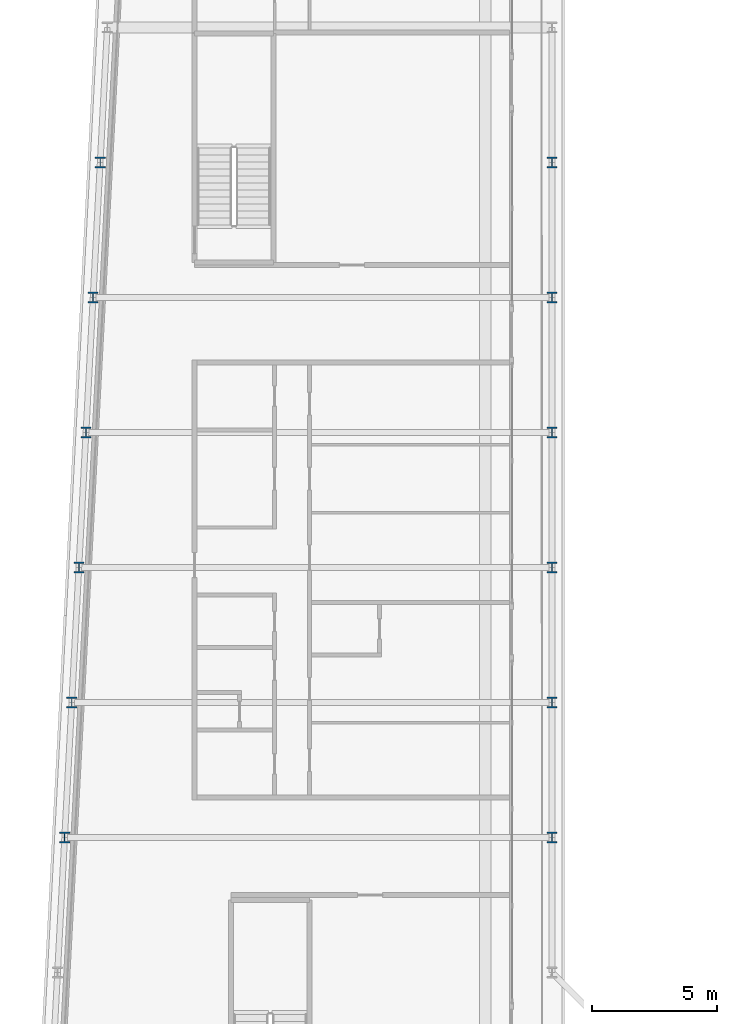
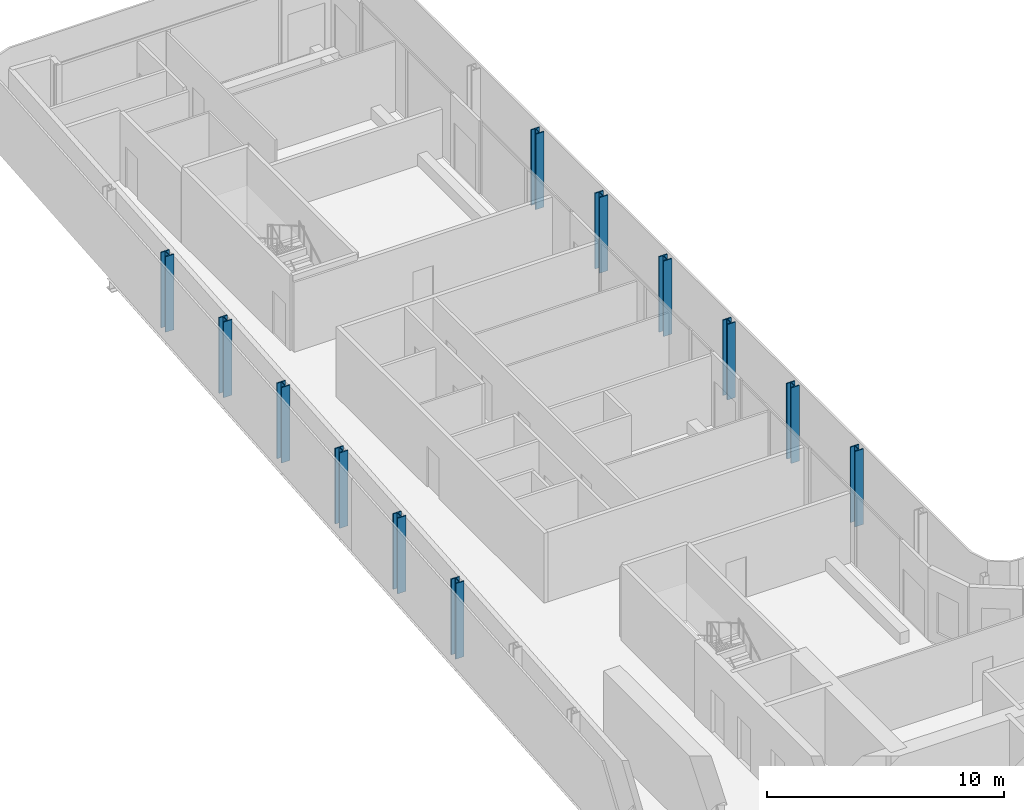
# One storey, part 3 of 28: 12 columns.
"""IFC4 building model written with IfcOpenShell, lengths in metres."""

import ifcopenshell
import ifcopenshell.guid

model = None  # the IFC model being written
_history = None  # IfcOwnerHistory: only IFC2X3 demands one
_inside = {}  # id of a spatial element -> (the spatial element, [elements in it])
_under = {}  # id of a project, library or spatial element -> (it, [spatial elements below it])
_declared = {}  # id of a project -> (the project, [libraries it declares])
_typed = {}  # id of a type object -> (the type object, [elements of that type])
_made_of = {}  # id of a material, layer set ... -> (it, [elements and type objects made of it])


def new_model(schema):
    """Start an empty IFC model of exactly this schema.

    Asked for "IFC4X3", IfcOpenShell would pick the latest addendum, in which some entities
    have other attributes; the version numbers below select the first issue.
    IFC2X3 requires an IfcOwnerHistory on every rooted entity: one is made here for all.
    """
    global model, _history
    if schema == "IFC4X3":
        model = ifcopenshell.file(schema_version=(4, 3, 0, 0))
    else:
        model = ifcopenshell.file(schema=schema)
    _inside.clear()
    _under.clear()
    _declared.clear()
    _typed.clear()
    _made_of.clear()
    _history = None
    if model.schema == "IFC2X3":
        org = make("IfcOrganization", Name="unknown")
        user = make(
            "IfcPersonAndOrganization",
            ThePerson=make("IfcPerson", FamilyName="unknown"),
            TheOrganization=org,
        )
        app = make(
            "IfcApplication",
            ApplicationDeveloper=org,
            Version="unknown",
            ApplicationFullName="unknown",
            ApplicationIdentifier="unknown",
        )
        _history = make(
            "IfcOwnerHistory",
            OwningUser=user,
            OwningApplication=app,
            ChangeAction="ADDED",
            CreationDate=0,
        )
    return model


def make(cls, **values):
    """One entity of the class cls with the attributes given. An attribute that is None is left unset."""
    return model.create_entity(
        cls, **{name: value for name, value in values.items() if value is not None}
    )


def rooted(cls, **values):
    """An entity with a GlobalId (a new one), such as an element, a storey or a relation."""
    return make(cls, GlobalId=ifcopenshell.guid.new(), OwnerHistory=_history, **values)


def si_unit(unit_type, name, prefix=None):
    """IfcSIUnit, for example si_unit("LENGTHUNIT", "METRE", prefix="MILLI")."""
    return make("IfcSIUnit", UnitType=unit_type, Prefix=prefix, Name=name)


def assignment(units):
    """IfcUnitAssignment: the units of a project."""
    return None if units is None else make("IfcUnitAssignment", Units=units)


def point(xyz):
    """IfcCartesianPoint."""
    return None if xyz is None else make("IfcCartesianPoint", Coordinates=xyz)


def direction(xyz):
    """IfcDirection."""
    return None if xyz is None else make("IfcDirection", DirectionRatios=xyz)


def frame(location, z_axis=None, x_axis=None):
    """IfcAxis2Placement3D, a coordinate frame: its origin and axes. An axis left out is left unset."""
    return make(
        "IfcAxis2Placement3D",
        Location=point(location),
        Axis=direction(z_axis),
        RefDirection=direction(x_axis),
    )


def frame_2d(location, x_axis=None):
    """IfcAxis2Placement2D, a coordinate frame in the plane: its origin and x axis."""
    return make(
        "IfcAxis2Placement2D", Location=point(location), RefDirection=direction(x_axis)
    )


def origin():
    """The frame at (0, 0, 0) with its axes left unset."""
    return frame((0.0, 0.0, 0.0))


def origin_2d():
    """The frame at (0, 0) in the plane with its x axis left unset."""
    return frame_2d((0.0, 0.0))


def place(relative_to, where):
    """IfcLocalPlacement: puts the frame where relative to a parent placement (None: the world)."""
    return make(
        "IfcLocalPlacement", PlacementRelTo=relative_to, RelativePlacement=where
    )


def context(
    kind, dimensions, precision=None, world=None, true_north=None, identifier=None
):
    """IfcGeometricRepresentationContext, for example the 3D "Model" context."""
    return make(
        "IfcGeometricRepresentationContext",
        ContextIdentifier=identifier,
        ContextType=kind,
        CoordinateSpaceDimension=dimensions,
        Precision=precision,
        WorldCoordinateSystem=world,
        TrueNorth=true_north,
    )


def subcontext(parent, identifier, kind, view, scale=None):
    """IfcGeometricRepresentationSubContext, for example "Body" below "Model"."""
    return make(
        "IfcGeometricRepresentationSubContext",
        ContextIdentifier=identifier,
        ContextType=kind,
        ParentContext=parent,
        TargetScale=scale,
        TargetView=view,
    )


def project(units=None, contexts=None):
    """IfcProject with its units and contexts."""
    return rooted(
        "IfcProject",
        Name="project",
        RepresentationContexts=contexts,
        UnitsInContext=assignment(units),
    )


def spatial(cls, under=None, at=None, **own):
    """A site, building, storey or space (cls), placed at a placement, below another one or the project."""
    s = rooted(cls, ObjectPlacement=at, **own)
    if under is not None:
        _under.setdefault(under.id(), (under, []))[1].append(s)
    return s


def profile(cls, at=None, kind="AREA", **sizes):
    """A parametric profile (cls). Its sizes go by their IFC names, for example OverallWidth=200.0."""
    return make(cls, ProfileType=kind, Position=at, **sizes)


def i_section(**sizes):
    """IfcIShapeProfileDef."""
    return profile("IfcIShapeProfileDef", **sizes)


def extrude(swept, where, along, depth):
    """IfcExtrudedAreaSolid: the profile swept, set in the frame where, extruded along a direction by depth."""
    return make(
        "IfcExtrudedAreaSolid",
        SweptArea=swept,
        Position=where,
        ExtrudedDirection=direction(along),
        Depth=depth,
    )


def shape(context_of_items, identifier, shape_type, items):
    """IfcShapeRepresentation: the items that make up one representation, for example the "Body"."""
    return make(
        "IfcShapeRepresentation",
        ContextOfItems=context_of_items,
        RepresentationIdentifier=identifier,
        RepresentationType=shape_type,
        Items=items,
    )


def material(Name=None, Category=None):
    """IfcMaterial."""
    return make("IfcMaterial", Name=Name, Category=Category)


def material_profile(
    of_material, cross_section, Name=None, Category=None, Priority=None
):
    """IfcMaterialProfile: a cross section and its material."""
    return make(
        "IfcMaterialProfile",
        Name=Name,
        Material=of_material,
        Profile=cross_section,
        Priority=Priority,
        Category=Category,
    )


def profile_set(profiles, Name=None, composite=None):
    """IfcMaterialProfileSet."""
    return make(
        "IfcMaterialProfileSet",
        Name=Name,
        MaterialProfiles=profiles,
        CompositeProfile=composite,
    )


def made_of(thing, what):
    """Note that an element or type object is made of a material, layer set ...; save() writes the relation."""
    if what is not None:
        _made_of.setdefault(what.id(), (what, []))[1].append(thing)
    return thing


def type_object(cls, material=None, **own):
    """A type object (cls), such as IfcWallType, which elements share."""
    return made_of(rooted(cls, **own), material)


def element(
    cls,
    number,
    at=None,
    inside=None,
    cuts=None,
    type_object=None,
    material=None,
    context=None,
    identifier="Body",
    shape_type=None,
    held_by="IfcProductDefinitionShape",
    body=None,
    shapes=None,
    **own,
):
    """One element of the class cls, such as IfcWall. Its Tag is "e" and its number.

    at: its placement. inside: the storey or other place that contains it. cuts: it is an
    opening in that element (IfcRelVoidsElement). A single representation is given by context,
    identifier, shape_type and body (its items); several are given by shapes. held_by: the class
    of the entity that holds the representations. save() writes the other relations.
    """
    e = rooted(cls, Tag="e%d" % number, ObjectPlacement=at, **own)
    if body is not None:
        shapes = [shape(context, identifier, shape_type, body)]
    if shapes is not None:
        e.Representation = make(held_by, Representations=shapes)
    if inside is not None:
        _inside.setdefault(inside.id(), (inside, []))[1].append(e)
    if cuts is not None:
        rooted(
            "IfcRelVoidsElement", RelatingBuildingElement=cuts, RelatedOpeningElement=e
        )
    if type_object is not None:
        _typed.setdefault(type_object.id(), (type_object, []))[1].append(e)
    return made_of(e, material)


def aggregate(whole, parts):
    """IfcRelAggregates: a whole, such as a stair, and the parts it consists of."""
    return rooted("IfcRelAggregates", RelatingObject=whole, RelatedObjects=parts)


def save(model, path):
    """Write the relations noted so far, then the file.

    IfcRelAggregates (storeys below a building ...), IfcRelContainedInSpatialStructure (elements
    in a storey), IfcRelDefinesByType, IfcRelAssociatesMaterial and IfcRelDeclares: one each for
    every whole, place, type object, material and project.
    """
    for whole, parts in _under.values():
        aggregate(whole, parts)
    for where, things in _inside.values():
        rooted(
            "IfcRelContainedInSpatialStructure",
            RelatedElements=things,
            RelatingStructure=where,
        )
    for kind, things in _typed.values():
        rooted("IfcRelDefinesByType", RelatedObjects=things, RelatingType=kind)
    for what, things in _made_of.values():
        rooted("IfcRelAssociatesMaterial", RelatedObjects=things, RelatingMaterial=what)
    for by, libraries in _declared.values():
        rooted("IfcRelDeclares", RelatingContext=by, RelatedDefinitions=libraries)
    model.write(path)


model = new_model("IFC4")

# Units and contexts
model_context = context("Model", 3, precision=1e-05, world=origin(), true_north=direction((0.0, 1.0)))
body_context = subcontext(model_context, "Body", "Model", "MODEL_VIEW")
ifc_project = project(units=[si_unit("LENGTHUNIT", "METRE"), si_unit("AREAUNIT", "SQUARE_METRE"), si_unit("VOLUMEUNIT", "CUBIC_METRE"), si_unit("PLANEANGLEUNIT", "RADIAN"), si_unit("MASSUNIT", "GRAM", prefix="KILO")], contexts=[model_context])

# Site, building, storey
site_placement = place(None, origin())
site = spatial("IfcSite", under=ifc_project, at=site_placement, CompositionType="ELEMENT")
building_placement = place(site_placement, origin())
building = spatial("IfcBuilding", under=site, at=building_placement, Name="Kheshtan School and Residences Tower", CompositionType="ELEMENT")
storey_placement = place(building_placement, frame((0.0, 0.0, 191.60009765625)))
storey = spatial("IfcBuildingStorey", under=building, at=storey_placement, Name="L45", CompositionType="ELEMENT", Elevation=191.60009765625)

# Columns
ifc_material = material(Name="Steel ASTM A992 Grade 50", Category="steel")
ifc_material_profile = material_profile(ifc_material, i_section(OverallWidth=0.408935546875, OverallDepth=0.425048828125, WebThickness=0.03271484375, FlangeThickness=0.052490234375, FilletRadius=0.0126953125, at=origin_2d()), Name="W360x421")
ifc_profile_set = profile_set([ifc_material_profile], Name="Steel ASTM A992 Grade 50")
column_type = type_object("IfcColumnType", Name="Column C3 W360x421 ASTM A992 Grade 50", PredefinedType="COLUMN", material=ifc_profile_set)
for number, where, z_axis, x_axis, name in (
    (1, (28.10595703125, 56.39990234375, 0.0), (0.0, 0.0, 1.0), (1.0, 0.0, 0.0), "Column C080"),
    (2, (47.60009765625, 56.39990234375, 0.0), (0.0, 0.0, 1.0), (1.0, 0.0, 0.0), "Column C081"),
    (3, (28.389892578125, 61.800048828125, 0.0), (0.0, 0.0, 1.0), (1.0, 0.0, 0.0), "Column C082"),
    (4, (47.60009765625, 61.800048828125, 0.0), (0.0, 0.0, 1.0), (1.0, 0.0, 0.0), "Column C083"),
    (5, (28.674072265625, 67.199951171875, 0.0), (0.0, 0.0, 1.0), (1.0, 0.0, 0.0), "Column C084"),
    (6, (47.60009765625, 67.199951171875, 0.0), (0.0, 0.0, 1.0), (1.0, 0.0, 0.0), "Column C085"),
    (7, (28.9580078125, 72.60009765625, 0.0), (0.0, 0.0, 1.0), (1.0, 0.0, 0.0), "Column C086"),
    (8, (47.60009765625, 72.60009765625, 0.0), (0.0, 0.0, 1.0), (1.0, 0.0, 0.0), "Column C087"),
    (9, (29.242919921875, 78.0, 0.0), (0.0, 0.0, 1.0), (1.0, 0.0, 0.0), "Column C088"),
    (10, (47.60009765625, 78.0, 0.0), (0.0, 0.0, 1.0), (1.0, 0.0, 0.0), "Column C089"),
    (11, (29.527099609375, 83.39990234375, 0.0), (0.0, 0.0, 1.0), (1.0, 0.0, 0.0), "Column C090"),
    (12, (47.60009765625, 83.39990234375, 0.0), (0.0, 0.0, 1.0), (1.0, 0.0, 0.0), "Column C091"),
):
    element("IfcColumn", number, at=place(storey_placement, frame(where, z_axis=z_axis, x_axis=x_axis)), inside=storey, type_object=column_type, Name=name, PredefinedType="COLUMN", context=body_context, shape_type="SweptSolid", body=[
        extrude(i_section(OverallWidth=0.408935546875, OverallDepth=0.425048828125, WebThickness=0.03271484375, FlangeThickness=0.052490234375, FilletRadius=0.0126953125, at=origin_2d()), origin(), (0.0, 0.0, 1.0), 3.89990234375),
    ])

save(model, "model.ifc")
